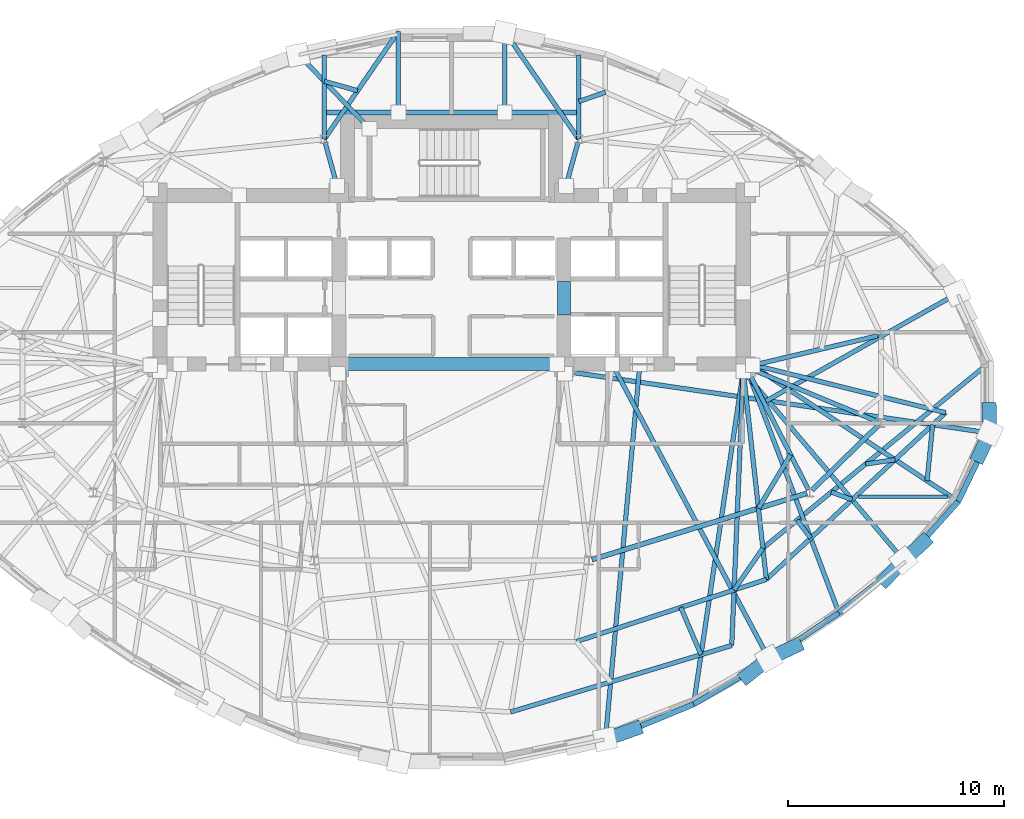
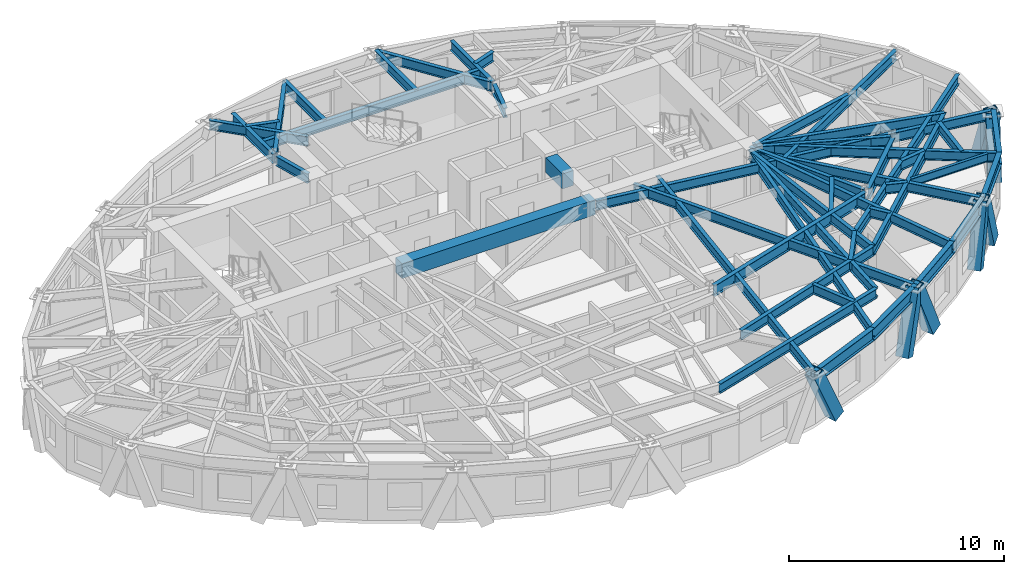
# One storey, part 3 of 14: 48 beams, 7 members.
"""IFC4 building model written with IfcOpenShell, lengths in metres."""

from ifc_helpers import new_model, si_unit, direction, frame, origin, origin_2d, place, context, subcontext, project, spatial, rectangle, hollow_rectangle, i_section, extrude, material, material_profile, profile_set, type_object, element, save


model = new_model("IFC4")

# Units and contexts
model_context = context("Model", 3, precision=1e-05, world=origin(), true_north=direction((0.0, 1.0)))
body_context = subcontext(model_context, "Body", "Model", "MODEL_VIEW")
ifc_project = project(units=[si_unit("LENGTHUNIT", "METRE"), si_unit("AREAUNIT", "SQUARE_METRE"), si_unit("VOLUMEUNIT", "CUBIC_METRE"), si_unit("PLANEANGLEUNIT", "RADIAN"), si_unit("MASSUNIT", "GRAM", prefix="KILO")], contexts=[model_context])

# Site, building, storey
site_placement = place(None, origin())
site = spatial("IfcSite", under=ifc_project, at=site_placement, CompositionType="ELEMENT")
building_placement = place(site_placement, origin())
building = spatial("IfcBuilding", under=site, at=building_placement, Name="Keldmark Tower", CompositionType="ELEMENT")
storey_placement = place(building_placement, frame((0.0, 0.0, 182.199951171875)))
storey = spatial("IfcBuildingStorey", under=building, at=storey_placement, Name="L50", CompositionType="ELEMENT", Elevation=182.199951171875)

# Beams
ifc_material_1 = material(Name="Steel ASTM A992 Grade 50", Category="steel")
ifc_material_profile_1 = material_profile(ifc_material_1, i_section(OverallWidth=0.153076171875, OverallDepth=0.455078125, WebThickness=0.008056640625, FlangeThickness=0.01318359375, at=origin_2d()), Name="W18X40")
ifc_profile_set_1 = profile_set([ifc_material_profile_1], Name="Steel ASTM A992 Grade 50")
beam_type_1 = type_object("IfcBeamType", Name="Composite Floor Joist W18X40", PredefinedType="JOIST", material=ifc_profile_set_1)
beam_1_placement = place(storey_placement, frame((18.790771484375, -4.60009765625, 2.79248046875), z_axis=(1.0, 0.0, 0.0), x_axis=(0.0, 1.0, 0.0)))
element("IfcBeam", 1, at=beam_1_placement, inside=storey, type_object=beam_type_1, Name="L50 Composite Floor Joist J04", PredefinedType="JOIST", context=body_context, shape_type="SweptSolid", body=[
    extrude(i_section(OverallWidth=0.153076171875, OverallDepth=0.455078125, WebThickness=0.008056640625, FlangeThickness=0.01318359375, at=origin_2d()), origin(), (0.0, 0.0, 1.0), 4.116455078125),
])
ifc_material_2 = material(Name="Concrete C50/60", Category="concrete")
ifc_material_profile_2 = material_profile(ifc_material_2, rectangle(XDim=0.60009765625, YDim=0.85009765625, at=origin_2d()), Name="RCB600X850")
ifc_profile_set_2 = profile_set([ifc_material_profile_2], Name="Concrete C50/60")
beam_type_2 = type_object("IfcBeamType", Name="Core Coupling Beam RCB600X850", PredefinedType="USERDEFINED", material=ifc_profile_set_2)
beam_2_placement = place(storey_placement, frame((5.199951171875, 3.800048828125, 2.594970703125), z_axis=(0.0, 1.0, 0.0), x_axis=(-1.0, 0.0, 0.0)))
element("IfcBeam", 2, at=beam_2_placement, inside=storey, type_object=beam_type_2, Name="L50 East Core Coupling Beam", ObjectType="COUPLING BEAM", PredefinedType="USERDEFINED", context=body_context, shape_type="SweptSolid", body=[
    extrude(rectangle(XDim=0.60009765625, YDim=0.85009765625, at=origin_2d()), origin(), (0.0, 0.0, 1.0), 1.550048828125),
])
beam_3_placement = place(storey_placement, frame((-5.199951171875, 1.52490234375, 2.594970703125), z_axis=(1.0, 0.0, 0.0), x_axis=(0.0, 1.0, 0.0)))
element("IfcBeam", 3, at=beam_3_placement, inside=storey, type_object=beam_type_2, Name="L50 Central South Core Coupling Beam", ObjectType="COUPLING BEAM", PredefinedType="USERDEFINED", context=body_context, shape_type="SweptSolid", body=[
    extrude(rectangle(XDim=0.60009765625, YDim=0.85009765625, at=origin_2d()), origin(), (0.0, 0.0, 1.0), 10.39990234375),
])

# Members
ifc_material_3 = material(Name="Steel ASTM A572 Grade 50", Category="steel")
ifc_material_profile_3 = material_profile(ifc_material_3, hollow_rectangle(XDim=0.64990234375, YDim=0.64990234375, WallThickness=0.0400390625, at=origin_2d()), Name="BOX650X650X40")
ifc_profile_set_3 = profile_set([ifc_material_profile_3], Name="Steel ASTM A572 Grade 50")
member_type = type_object("IfcMemberType", Name="Diagrid Zone 3 Brace BOX650X650X40", PredefinedType="BRACE", material=ifc_profile_set_3)
member_1_placement = place(storey_placement, frame((8.486083984375, -15.315673828125, -0.260009765625), z_axis=(-0.40141936816, -0.142450404372, 0.904748790085), x_axis=(0.334433352751, -0.942419403752, 0.0)))
element("IfcMember", 4, at=member_1_placement, inside=storey, type_object=member_type, Name="L50 Perimeter Diagrid Brace 13B", PredefinedType="BRACE", context=body_context, shape_type="SweptSolid", body=[
    extrude(hollow_rectangle(XDim=0.64990234375, YDim=0.64990234375, WallThickness=0.0400390625, at=origin_2d()), origin(), (0.0, 0.0, 1.0), 3.492919921875),
])
member_2_placement = place(storey_placement, frame((13.630615234375, -12.89111328125, -0.260009765625), z_axis=(0.299353336708, 0.238326368924, 0.923898328647), x_axis=(-0.62285067598, 0.782340741258, 0.0)))
element("IfcMember", 5, at=member_2_placement, inside=storey, type_object=member_type, Name="L50 Perimeter Diagrid Brace 14A", PredefinedType="BRACE", context=body_context, shape_type="SweptSolid", body=[
    extrude(hollow_rectangle(XDim=0.64990234375, YDim=0.64990234375, WallThickness=0.0400390625, at=origin_2d()), origin(), (0.0, 0.0, 1.0), 3.42041015625),
])
member_3_placement = place(storey_placement, frame((15.897705078125, -11.490234375, -0.260009765625), z_axis=(-0.363096007671, -0.171642812667, 0.915805674842), x_axis=(0.427374380987, -0.904074741643, 0.0)))
element("IfcMember", 6, at=member_3_placement, inside=storey, type_object=member_type, Name="L50 Perimeter Diagrid Brace 14B", PredefinedType="BRACE", context=body_context, shape_type="SweptSolid", body=[
    extrude(hollow_rectangle(XDim=0.64990234375, YDim=0.64990234375, WallThickness=0.0400390625, at=origin_2d()), origin(), (0.0, 0.0, 1.0), 3.45068359375),
])
member_4_placement = place(storey_placement, frame((20.04150390625, -8.411376953125, -0.260009765625), z_axis=(0.246893402367, 0.256639194565, 0.934440994221), x_axis=(-0.720657748805, 0.693290998851, 0.0)))
element("IfcMember", 7, at=member_4_placement, inside=storey, type_object=member_type, Name="L50 Perimeter Diagrid Brace 15A", PredefinedType="BRACE", context=body_context, shape_type="SweptSolid", body=[
    extrude(hollow_rectangle(XDim=0.64990234375, YDim=0.64990234375, WallThickness=0.0400390625, at=origin_2d()), origin(), (0.0, 0.0, 1.0), 3.3818359375),
])
member_5_placement = place(storey_placement, frame((21.826416015625, -6.673583984375, -0.260009765625), z_axis=(-0.279877379143, -0.257441459548, 0.924874341492), x_axis=(0.67699139937, -0.735990927375, 0.0)))
element("IfcMember", 8, at=member_5_placement, inside=storey, type_object=member_type, Name="L50 Perimeter Diagrid Brace 15B", PredefinedType="BRACE", context=body_context, shape_type="SweptSolid", body=[
    extrude(hollow_rectangle(XDim=0.64990234375, YDim=0.64990234375, WallThickness=0.0400390625, at=origin_2d()), origin(), (0.0, 0.0, 1.0), 3.416748046875),
])
member_6_placement = place(storey_placement, frame((24.36767578125, -2.7001953125, -0.260009765625), z_axis=(0.147798689102, 0.312776529413, 0.93825710237), x_axis=(-0.90413849574, 0.427239488485, 0.0)))
element("IfcMember", 9, at=member_6_placement, inside=storey, type_object=member_type, Name="L50 Perimeter Diagrid Brace 16A", PredefinedType="BRACE", context=body_context, shape_type="SweptSolid", body=[
    extrude(hollow_rectangle(XDim=0.64990234375, YDim=0.64990234375, WallThickness=0.0400390625, at=origin_2d()), origin(), (0.0, 0.0, 1.0), 3.3681640625),
])
member_7_placement = place(storey_placement, frame((24.8408203125, -0.54833984375, -0.260009765625), z_axis=(0.006632950239, -0.33135595369, 0.943482504303), x_axis=(0.999799708079, 0.020013588525, 0.0)))
element("IfcMember", 10, at=member_7_placement, inside=storey, type_object=member_type, Name="L50 Perimeter Diagrid Brace 16B", PredefinedType="BRACE", context=body_context, shape_type="SweptSolid", body=[
    extrude(hollow_rectangle(XDim=0.64990234375, YDim=0.64990234375, WallThickness=0.0400390625, at=origin_2d()), origin(), (0.0, 0.0, 1.0), 3.349365234375),
])

# Beams
ifc_material_4 = material(Name="Steel ASTM A992 Grade 50", Category="steel")
ifc_material_profile_4 = material_profile(ifc_material_4, i_section(OverallWidth=0.22900390625, OverallDepth=0.612060546875, WebThickness=0.011962890625, FlangeThickness=0.01953125, at=origin_2d()), Name="W24X84")
ifc_profile_set_4 = profile_set([ifc_material_profile_4], Name="Steel ASTM A992 Grade 50")
beam_type_3 = type_object("IfcBeamType", Name="Primary Floor Girder W24X84", PredefinedType="BEAM", material=ifc_profile_set_4)
beam_4_placement = place(storey_placement, frame((6.485107421875, -7.5048828125, 2.714111328125), z_axis=(0.955494563145, 0.295008711398, 0.0), x_axis=(-0.295008711398, 0.955494563145, 0.0)))
element("IfcBeam", 11, at=beam_4_placement, inside=storey, type_object=beam_type_3, Name="L50 Floor Ring Girder FG-R10", PredefinedType="BEAM", context=body_context, shape_type="SweptSolid", body=[
    extrude(i_section(OverallWidth=0.22900390625, OverallDepth=0.612060546875, WebThickness=0.011962890625, FlangeThickness=0.01953125, at=origin_2d()), origin(), (0.0, 0.0, 1.0), 10.39013671875),
])
beam_5_placement = place(storey_placement, frame((16.646728515625, -4.300537109375, 2.714111328125), z_axis=(0.714964509815, 0.699160746684, 0.0), x_axis=(-0.699160746684, 0.714964509815, 0.0)))
element("IfcBeam", 12, at=beam_5_placement, inside=storey, type_object=beam_type_3, Name="L50 Floor Ring Girder FG-R11", PredefinedType="BEAM", context=body_context, shape_type="SweptSolid", body=[
    extrude(i_section(OverallWidth=0.22900390625, OverallDepth=0.612060546875, WebThickness=0.011962890625, FlangeThickness=0.01953125, at=origin_2d()), origin(), (0.0, 0.0, 1.0), 4.31005859375),
])
ifc_material_5 = material(Name="Steel ASTM A992 Grade 50", Category="steel")
ifc_material_profile_5 = material_profile(ifc_material_5, i_section(OverallWidth=0.2099609375, OverallDepth=0.537109375, WebThickness=0.010986328125, FlangeThickness=0.017333984375, at=origin_2d()), Name="W21X68")
ifc_profile_set_5 = profile_set([ifc_material_profile_5], Name="Steel ASTM A992 Grade 50")
beam_type_4 = type_object("IfcBeamType", Name="Radial Tie Girder W21X68", PredefinedType="BEAM", material=ifc_profile_set_5)
beam_6_placement = place(storey_placement, frame((19.692138671875, 2.837158203125, 2.75146484375), z_axis=(-0.973280062348, -0.229621253887, 0.0), x_axis=(0.229621253887, -0.973280062348, 0.0)))
element("IfcBeam", 13, at=beam_6_placement, inside=storey, type_object=beam_type_4, Name="L50 Floor Radial Girder FG-C01", PredefinedType="BEAM", context=body_context, shape_type="SweptSolid", body=[
    extrude(i_section(OverallWidth=0.2099609375, OverallDepth=0.537109375, WebThickness=0.010986328125, FlangeThickness=0.017333984375, at=origin_2d()), origin(), (0.0, 0.0, 1.0), 5.939208984375),
])
for number, where, z_axis, x_axis, name in (
    (14, (5.843017578125, 11.7802734375, 2.75146484375), (-0.265992411, -0.963975122755, 0.0), (0.963975122755, -0.265992411, 0.0), "L50 Floor Radial Girder FG-C03"),
    (15, (-5.843017578125, 11.7802734375, 2.75146484375), (0.265992411, -0.963975122755, 0.0), (0.963975122755, 0.265992411, 0.0), "L50 Floor Radial Girder FG-C04"),
):
    element("IfcBeam", number, at=place(storey_placement, frame(where, z_axis=z_axis, x_axis=x_axis)), inside=storey, type_object=beam_type_4, Name=name, PredefinedType="BEAM", context=body_context, shape_type="SweptSolid", body=[
        extrude(i_section(OverallWidth=0.2099609375, OverallDepth=0.537109375, WebThickness=0.010986328125, FlangeThickness=0.017333984375, at=origin_2d()), origin(), (0.0, 0.0, 1.0), 2.09716796875),
    ])
beam_7_placement = place(storey_placement, frame((16.4833984375, -4.273681640625, 2.75146484375), z_axis=(-0.453036691775, 0.891491870914, 0.0), x_axis=(-0.891491870914, -0.453036691775, 0.0)))
element("IfcBeam", 16, at=beam_7_placement, inside=storey, type_object=beam_type_4, Name="L50 Floor Radial Girder FG-C11", PredefinedType="BEAM", context=body_context, shape_type="SweptSolid", body=[
    extrude(i_section(OverallWidth=0.2099609375, OverallDepth=0.537109375, WebThickness=0.010986328125, FlangeThickness=0.017333984375, at=origin_2d()), origin(), (0.0, 0.0, 1.0), 6.044189453125),
])
beam_8_placement = place(storey_placement, frame((19.69921875, -1.135498046875, 2.75146484375), z_axis=(-0.923393794893, 0.383854008124, 0.0), x_axis=(-0.383854008124, -0.923393794893, 0.0)))
element("IfcBeam", 17, at=beam_8_placement, inside=storey, type_object=beam_type_4, Name="L50 Floor Radial Girder FG-C12", PredefinedType="BEAM", context=body_context, shape_type="SweptSolid", body=[
    extrude(i_section(OverallWidth=0.2099609375, OverallDepth=0.537109375, WebThickness=0.010986328125, FlangeThickness=0.017333984375, at=origin_2d()), origin(), (0.0, 0.0, 1.0), 6.28515625),
])
beam_9_placement = place(storey_placement, frame((15.661865234375, -2.6572265625, 2.75146484375), z_axis=(-0.514570454488, -0.857448101851, 0.0), x_axis=(0.857448101851, -0.514570454488, 0.0)))
element("IfcBeam", 18, at=beam_9_placement, inside=storey, type_object=beam_type_4, Name="L50 Framing Pin Header PH-005", PredefinedType="BEAM", context=body_context, shape_type="SweptSolid", body=[
    extrude(i_section(OverallWidth=0.2099609375, OverallDepth=0.537109375, WebThickness=0.010986328125, FlangeThickness=0.017333984375, at=origin_2d()), origin(), (0.0, 0.0, 1.0), 2.8837890625),
])
beam_10_placement = place(storey_placement, frame((13.47509765625, 1.199951171875, 2.75146484375), z_axis=(0.11037061052, -0.993890501179, 0.0), x_axis=(0.993890501179, 0.11037061052, 0.0)))
element("IfcBeam", 19, at=beam_10_placement, inside=storey, type_object=beam_type_4, Name="L50 Sub-Ring Step Girder STP1-M11", PredefinedType="BEAM", context=body_context, shape_type="SweptSolid", body=[
    extrude(i_section(OverallWidth=0.2099609375, OverallDepth=0.537109375, WebThickness=0.010986328125, FlangeThickness=0.017333984375, at=origin_2d()), origin(), (0.0, 0.0, 1.0), 9.677490234375),
])
beam_11_placement = place(storey_placement, frame((13.800048828125, 1.52490234375, 2.75146484375), z_axis=(0.970532067768, -0.240972001349, 0.0), x_axis=(0.240972001349, 0.970532067768, 0.0)))
element("IfcBeam", 20, at=beam_11_placement, inside=storey, type_object=beam_type_4, Name="L50 Sub-Ring Step Girder STP1-M12", PredefinedType="BEAM", context=body_context, shape_type="SweptSolid", body=[
    extrude(i_section(OverallWidth=0.2099609375, OverallDepth=0.537109375, WebThickness=0.010986328125, FlangeThickness=0.017333984375, at=origin_2d()), origin(), (0.0, 0.0, 1.0), 9.296630859375),
])
beam_12_placement = place(storey_placement, frame((5.759521484375, -11.291748046875, 2.75146484375), z_axis=(0.950440993261, 0.31090499888, 0.0), x_axis=(-0.31090499888, 0.950440993261, 0.0)))
element("IfcBeam", 21, at=beam_12_placement, inside=storey, type_object=beam_type_4, Name="L50 Perimeter Collector Ring Beam CRG1-M10", PredefinedType="BEAM", context=body_context, shape_type="SweptSolid", body=[
    extrude(i_section(OverallWidth=0.2099609375, OverallDepth=0.537109375, WebThickness=0.010986328125, FlangeThickness=0.017333984375, at=origin_2d()), origin(), (0.0, 0.0, 1.0), 9.24169921875),
])
beam_13_placement = place(storey_placement, frame((14.543212890625, -8.41845703125, 2.75146484375), z_axis=(0.732132654929, 0.681162077325, 0.0), x_axis=(-0.681162077325, 0.732132654929, 0.0)))
element("IfcBeam", 22, at=beam_13_placement, inside=storey, type_object=beam_type_4, Name="L50 Perimeter Collector Ring Beam CRG1-M11", PredefinedType="BEAM", context=body_context, shape_type="SweptSolid", body=[
    extrude(i_section(OverallWidth=0.2099609375, OverallDepth=0.537109375, WebThickness=0.010986328125, FlangeThickness=0.017333984375, at=origin_2d()), origin(), (0.0, 0.0, 1.0), 11.308837890625),
])
beam_14_placement = place(storey_placement, frame((14.383056640625, -6.9755859375, 2.75146484375), z_axis=(-0.567769438598, -0.823187624175, 0.0), x_axis=(0.823187624175, -0.567769438598, 0.0)))
element("IfcBeam", 23, at=beam_14_placement, inside=storey, type_object=beam_type_4, Name="L50 Framing Pin Header PH-011", PredefinedType="BEAM", context=body_context, shape_type="SweptSolid", body=[
    extrude(i_section(OverallWidth=0.2099609375, OverallDepth=0.537109375, WebThickness=0.010986328125, FlangeThickness=0.017333984375, at=origin_2d()), origin(), (0.0, 0.0, 1.0), 2.345703125),
])
beam_15_placement = place(storey_placement, frame((13.47509765625, 1.199951171875, 2.75146484375), z_axis=(-0.041897232848, -0.999121925432, 0.0), x_axis=(0.999121925432, -0.041897232848, 0.0)))
element("IfcBeam", 24, at=beam_15_placement, inside=storey, type_object=beam_type_4, Name="L50 Sub-Ring Step Girder STP2-M11", PredefinedType="BEAM", context=body_context, shape_type="SweptSolid", body=[
    extrude(i_section(OverallWidth=0.2099609375, OverallDepth=0.537109375, WebThickness=0.010986328125, FlangeThickness=0.017333984375, at=origin_2d()), origin(), (0.0, 0.0, 1.0), 12.679931640625),
])
beam_16_placement = place(storey_placement, frame((2.731689453125, -14.541748046875, 2.75146484375), z_axis=(0.957584627503, 0.288152184044, 0.0), x_axis=(-0.288152184044, 0.957584627503, 0.0)))
element("IfcBeam", 25, at=beam_16_placement, inside=storey, type_object=beam_type_4, Name="L50 Perimeter Collector Ring Beam CRG2-M10", PredefinedType="BEAM", context=body_context, shape_type="SweptSolid", body=[
    extrude(i_section(OverallWidth=0.2099609375, OverallDepth=0.537109375, WebThickness=0.010986328125, FlangeThickness=0.017333984375, at=origin_2d()), origin(), (0.0, 0.0, 1.0), 10.66455078125),
])
beam_17_placement = place(storey_placement, frame((14.383056640625, -6.9755859375, 2.75146484375), z_axis=(0.773375114819, 0.633948682291, 0.0), x_axis=(-0.633948682291, 0.773375114819, 0.0)))
element("IfcBeam", 26, at=beam_17_placement, inside=storey, type_object=beam_type_4, Name="L50 Perimeter Radial Tie Girder RT-01", PredefinedType="BEAM", context=body_context, shape_type="SweptSolid", body=[
    extrude(i_section(OverallWidth=0.2099609375, OverallDepth=0.537109375, WebThickness=0.010986328125, FlangeThickness=0.017333984375, at=origin_2d()), origin(), (0.0, 0.0, 1.0), 13.62841796875),
])
beam_18_placement = place(storey_placement, frame((14.4296875, -0.232421875, 2.75146484375), z_axis=(0.871789377563, 0.489880884674, 0.0), x_axis=(-0.489880884674, 0.871789377563, 0.0)))
element("IfcBeam", 27, at=beam_18_placement, inside=storey, type_object=beam_type_4, Name="L50 Perimeter Radial Tie Girder RT-02", PredefinedType="BEAM", context=body_context, shape_type="SweptSolid", body=[
    extrude(i_section(OverallWidth=0.2099609375, OverallDepth=0.537109375, WebThickness=0.010986328125, FlangeThickness=0.017333984375, at=origin_2d()), origin(), (0.0, 0.0, 1.0), 10.3017578125),
])
beam_19_placement = place(storey_placement, frame((8.699951171875, 1.52490234375, 2.75146484375), z_axis=(-0.09149969152, -0.995805104652, 0.0), x_axis=(0.995805104652, -0.09149969152, 0.0)))
element("IfcBeam", 28, at=beam_19_placement, inside=storey, type_object=beam_type_4, Name="L50 Perimeter Radial Tie Girder RT-26", PredefinedType="BEAM", context=body_context, shape_type="SweptSolid", body=[
    extrude(i_section(OverallWidth=0.2099609375, OverallDepth=0.537109375, WebThickness=0.010986328125, FlangeThickness=0.017333984375, at=origin_2d()), origin(), (0.0, 0.0, 1.0), 17.46875),
])
beam_20_placement = place(storey_placement, frame((10.590576171875, -9.71142578125, 2.75146484375), z_axis=(0.393063371219, -0.919511384489, 0.0), x_axis=(0.919511384489, 0.393063371219, 0.0)))
element("IfcBeam", 29, at=beam_20_placement, inside=storey, type_object=beam_type_4, Name="L50 Framing Pin Header PH-033", PredefinedType="BEAM", context=body_context, shape_type="SweptSolid", body=[
    extrude(i_section(OverallWidth=0.2099609375, OverallDepth=0.537109375, WebThickness=0.010986328125, FlangeThickness=0.017333984375, at=origin_2d()), origin(), (0.0, 0.0, 1.0), 2.375732421875),
])
beam_21_placement = place(storey_placement, frame((13.47509765625, 1.199951171875, 2.75146484375), z_axis=(-0.147325678624, -0.989088036738, 0.0), x_axis=(0.989088036738, -0.147325678624, 0.0)))
element("IfcBeam", 30, at=beam_21_placement, inside=storey, type_object=beam_type_4, Name="L50 Perimeter Radial Tie Girder RT-27", PredefinedType="BEAM", context=body_context, shape_type="SweptSolid", body=[
    extrude(i_section(OverallWidth=0.2099609375, OverallDepth=0.537109375, WebThickness=0.010986328125, FlangeThickness=0.017333984375, at=origin_2d()), origin(), (0.0, 0.0, 1.0), 15.553955078125),
])
beam_22_placement = place(storey_placement, frame((7.425048828125, 1.52490234375, 2.75146484375), z_axis=(0.469368390676, -0.883002442712, 0.0), x_axis=(0.883002442712, 0.469368390676, 0.0)))
element("IfcBeam", 31, at=beam_22_placement, inside=storey, type_object=beam_type_4, Name="L50 Perimeter Radial Tie Girder RT-28", PredefinedType="BEAM", context=body_context, shape_type="SweptSolid", body=[
    extrude(i_section(OverallWidth=0.2099609375, OverallDepth=0.537109375, WebThickness=0.010986328125, FlangeThickness=0.017333984375, at=origin_2d()), origin(), (0.0, 0.0, 1.0), 15.462890625),
])
beam_23_placement = place(storey_placement, frame((15.964111328125, -5.6796875, 2.75146484375), z_axis=(0.600861034592, -0.799353499467, 0.0), x_axis=(0.799353499467, 0.600861034592, 0.0)))
element("IfcBeam", 32, at=beam_23_placement, inside=storey, type_object=beam_type_4, Name="L50 Framing Pin Header PH-034", PredefinedType="BEAM", context=body_context, shape_type="SweptSolid", body=[
    extrude(i_section(OverallWidth=0.2099609375, OverallDepth=0.537109375, WebThickness=0.010986328125, FlangeThickness=0.017333984375, at=origin_2d()), origin(), (0.0, 0.0, 1.0), 1.04296875),
])
beam_24_placement = place(storey_placement, frame((13.60009765625, 1.39990234375, 2.75146484375), z_axis=(0.353524952971, -0.93542509461, 0.0), x_axis=(0.93542509461, 0.353524952971, 0.0)))
element("IfcBeam", 33, at=beam_24_placement, inside=storey, type_object=beam_type_4, Name="L50 Perimeter Radial Tie Girder RT-29", PredefinedType="BEAM", context=body_context, shape_type="SweptSolid", body=[
    extrude(i_section(OverallWidth=0.2099609375, OverallDepth=0.537109375, WebThickness=0.010986328125, FlangeThickness=0.017333984375, at=origin_2d()), origin(), (0.0, 0.0, 1.0), 12.1376953125),
])
beam_25_placement = place(storey_placement, frame((17.544921875, -4.3837890625, 2.75146484375), z_axis=(0.940273760406, -0.340419234903, 0.0), x_axis=(0.340419234903, 0.940273760406, 0.0)))
element("IfcBeam", 34, at=beam_25_placement, inside=storey, type_object=beam_type_4, Name="L50 Framing Pin Header PH-035", PredefinedType="BEAM", context=body_context, shape_type="SweptSolid", body=[
    extrude(i_section(OverallWidth=0.2099609375, OverallDepth=0.537109375, WebThickness=0.010986328125, FlangeThickness=0.017333984375, at=origin_2d()), origin(), (0.0, 0.0, 1.0), 1.02197265625),
])
beam_26_placement = place(storey_placement, frame((13.47509765625, 1.199951171875, 2.75146484375), z_axis=(0.646815304492, -0.762646682203, 0.0), x_axis=(0.762646682203, 0.646815304492, 0.0)))
element("IfcBeam", 35, at=beam_26_placement, inside=storey, type_object=beam_type_4, Name="L50 Perimeter Radial Tie Girder RT-30", PredefinedType="BEAM", context=body_context, shape_type="SweptSolid", body=[
    extrude(i_section(OverallWidth=0.2099609375, OverallDepth=0.537109375, WebThickness=0.010986328125, FlangeThickness=0.017333984375, at=origin_2d()), origin(), (0.0, 0.0, 1.0), 11.514404296875),
])
beam_27_placement = place(storey_placement, frame((19.1259765625, -3.087646484375, 2.75146484375), z_axis=(0.989330602551, 0.145687881637, 0.0), x_axis=(-0.145687881637, 0.989330602551, 0.0)))
element("IfcBeam", 36, at=beam_27_placement, inside=storey, type_object=beam_type_4, Name="L50 Framing Pin Header PH-036", PredefinedType="BEAM", context=body_context, shape_type="SweptSolid", body=[
    extrude(i_section(OverallWidth=0.2099609375, OverallDepth=0.537109375, WebThickness=0.010986328125, FlangeThickness=0.017333984375, at=origin_2d()), origin(), (0.0, 0.0, 1.0), 1.37744140625),
])
beam_28_placement = place(storey_placement, frame((13.800048828125, 1.52490234375, 2.75146484375), z_axis=(0.834764384069, -0.550607322046, 0.0), x_axis=(0.550607322046, 0.834764384069, 0.0)))
element("IfcBeam", 37, at=beam_28_placement, inside=storey, type_object=beam_type_4, Name="L50 Perimeter Radial Tie Girder RT-31", PredefinedType="BEAM", context=body_context, shape_type="SweptSolid", body=[
    extrude(i_section(OverallWidth=0.2099609375, OverallDepth=0.537109375, WebThickness=0.010986328125, FlangeThickness=0.017333984375, at=origin_2d()), origin(), (0.0, 0.0, 1.0), 11.512939453125),
])
beam_29_placement = place(storey_placement, frame((21.968994140625, -3.86328125, 2.75146484375), z_axis=(0.09808314537, 0.995178223533, 0.0), x_axis=(-0.995178223533, 0.09808314537, 0.0)))
element("IfcBeam", 38, at=beam_29_placement, inside=storey, type_object=beam_type_4, Name="L50 Framing Pin Header PH-037", PredefinedType="BEAM", context=body_context, shape_type="SweptSolid", body=[
    extrude(i_section(OverallWidth=0.2099609375, OverallDepth=0.537109375, WebThickness=0.010986328125, FlangeThickness=0.017333984375, at=origin_2d()), origin(), (0.0, 0.0, 1.0), 2.603515625),
])
beam_30_placement = place(storey_placement, frame((5.199951171875, 1.199951171875, 2.75146484375), z_axis=(0.989620516542, -0.143705369556, 0.0), x_axis=(0.143705369556, 0.989620516542, 0.0)))
element("IfcBeam", 39, at=beam_30_placement, inside=storey, type_object=beam_type_4, Name="L50 Perimeter Radial Tie Girder RT-32", PredefinedType="BEAM", context=body_context, shape_type="SweptSolid", body=[
    extrude(i_section(OverallWidth=0.2099609375, OverallDepth=0.537109375, WebThickness=0.010986328125, FlangeThickness=0.017333984375, at=origin_2d()), origin(), (0.0, 0.0, 1.0), 19.9296875),
])
for number, where, z_axis, x_axis, name in (
    (40, (-5.880126953125, 11.915283203125, 2.75146484375), (0.0, 1.0, 0.0), (-1.0, 0.0, 0.0), "L50 North Column Cantilever Girder West FG-TCN-W"),
    (41, (5.880126953125, 11.915283203125, 2.75146484375), (0.0, 1.0, 0.0), (-1.0, 0.0, 0.0), "L50 North Column Cantilever Girder East FG-TCN-E"),
):
    element("IfcBeam", number, at=place(storey_placement, frame(where, z_axis=z_axis, x_axis=x_axis)), inside=storey, type_object=beam_type_4, Name=name, PredefinedType="BEAM", context=body_context, shape_type="SweptSolid", body=[
        extrude(i_section(OverallWidth=0.2099609375, OverallDepth=0.537109375, WebThickness=0.010986328125, FlangeThickness=0.017333984375, at=origin_2d()), origin(), (0.0, 0.0, 1.0), 3.880126953125),
    ])
beam_31_placement = place(storey_placement, frame((-5.880126953125, 13.14990234375, 2.75146484375), z_axis=(1.0, 0.0, 0.0), x_axis=(0.0, 1.0, 0.0)))
element("IfcBeam", 42, at=beam_31_placement, inside=storey, type_object=beam_type_4, Name="L50 North Inner Header Girder FG-TCN-H0", PredefinedType="BEAM", context=body_context, shape_type="SweptSolid", body=[
    extrude(i_section(OverallWidth=0.2099609375, OverallDepth=0.537109375, WebThickness=0.010986328125, FlangeThickness=0.017333984375, at=origin_2d()), origin(), (0.0, 0.0, 1.0), 11.76025390625),
])
for number, where, z_axis, x_axis, name in (
    (43, (2.45458984375, 13.14990234375, 2.75146484375), (0.0, 1.0, 0.0), (-1.0, 0.0, 0.0), "L50 North Continuous Radial Girder RT-08N"),
    (44, (-2.45458984375, 13.14990234375, 2.75146484375), (0.0, 1.0, 0.0), (-1.0, 0.0, 0.0), "L50 North Continuous Radial Girder RT-09N"),
):
    element("IfcBeam", number, at=place(storey_placement, frame(where, z_axis=z_axis, x_axis=x_axis)), inside=storey, type_object=beam_type_4, Name=name, PredefinedType="BEAM", context=body_context, shape_type="SweptSolid", body=[
        extrude(i_section(OverallWidth=0.2099609375, OverallDepth=0.537109375, WebThickness=0.010986328125, FlangeThickness=0.017333984375, at=origin_2d()), origin(), (0.0, 0.0, 1.0), 3.74609375),
    ])
beam_32_placement = place(storey_placement, frame((5.880126953125, 11.915283203125, 2.75146484375), z_axis=(-0.566674508349, 0.823941746477, 0.0), x_axis=(-0.823941746477, -0.566674508349, 0.0)))
element("IfcBeam", 45, at=beam_32_placement, inside=storey, type_object=beam_type_4, Name="L50 Straddling Support Chord RT-07RB", PredefinedType="BEAM", context=body_context, shape_type="SweptSolid", body=[
    extrude(i_section(OverallWidth=0.2099609375, OverallDepth=0.537109375, WebThickness=0.010986328125, FlangeThickness=0.017333984375, at=origin_2d()), origin(), (0.0, 0.0, 1.0), 6.044921875),
])
beam_33_placement = place(storey_placement, frame((5.880126953125, 13.661376953125, 2.75146484375), z_axis=(0.944890283725, 0.327387158761, 0.0), x_axis=(-0.327387158761, 0.944890283725, 0.0)))
element("IfcBeam", 46, at=beam_33_placement, inside=storey, type_object=beam_type_4, Name="L50 Framing Pin Header PH-039", PredefinedType="BEAM", context=body_context, shape_type="SweptSolid", body=[
    extrude(i_section(OverallWidth=0.2099609375, OverallDepth=0.537109375, WebThickness=0.010986328125, FlangeThickness=0.017333984375, at=origin_2d()), origin(), (0.0, 0.0, 1.0), 1.303466796875),
])
beam_34_placement = place(storey_placement, frame((-2.45458984375, 16.89599609375, 2.75146484375), z_axis=(-0.566674508349, -0.823941746477, 0.0), x_axis=(0.823941746477, -0.566674508349, 0.0)))
element("IfcBeam", 47, at=beam_34_placement, inside=storey, type_object=beam_type_4, Name="L50 Straddling Support Chord RT-10RB", PredefinedType="BEAM", context=body_context, shape_type="SweptSolid", body=[
    extrude(i_section(OverallWidth=0.2099609375, OverallDepth=0.537109375, WebThickness=0.010986328125, FlangeThickness=0.017333984375, at=origin_2d()), origin(), (0.0, 0.0, 1.0), 6.044921875),
])
beam_35_placement = place(storey_placement, frame((-4.338623046875, 14.156494140625, 2.75146484375), z_axis=(-0.962245215485, 0.272184028327, 0.0), x_axis=(-0.272184028327, -0.962245215485, 0.0)))
element("IfcBeam", 48, at=beam_35_placement, inside=storey, type_object=beam_type_4, Name="L50 Framing Pin Header PH-040", PredefinedType="BEAM", context=body_context, shape_type="SweptSolid", body=[
    extrude(i_section(OverallWidth=0.2099609375, OverallDepth=0.537109375, WebThickness=0.010986328125, FlangeThickness=0.017333984375, at=origin_2d()), origin(), (0.0, 0.0, 1.0), 1.60205078125),
])
beam_36_placement = place(storey_placement, frame((-3.784912109375, 12.39990234375, 2.75146484375), z_axis=(-0.690879628574, 0.722969804917, 0.0), x_axis=(-0.722969804917, -0.690879628574, 0.0)))
element("IfcBeam", 49, at=beam_36_placement, inside=storey, type_object=beam_type_4, Name="L50 Perimeter Radial Tie Girder RT-10R", PredefinedType="BEAM", context=body_context, shape_type="SweptSolid", body=[
    extrude(i_section(OverallWidth=0.2099609375, OverallDepth=0.537109375, WebThickness=0.010986328125, FlangeThickness=0.017333984375, at=origin_2d()), origin(), (0.0, 0.0, 1.0), 4.800537109375),
])
ifc_material_6 = material(Name="Steel ASTM A992 Grade 50", Category="steel")
ifc_material_profile_6 = material_profile(ifc_material_6, i_section(OverallWidth=0.256103515625, OverallDepth=0.693115234375, WebThickness=0.014404296875, FlangeThickness=0.023681640625, at=origin_2d()), Name="W27X114")
ifc_profile_set_6 = profile_set([ifc_material_profile_6], Name="Steel ASTM A992 Grade 50")
beam_type_5 = type_object("IfcBeamType", Name="Spandrel Ring Beam W27X114", PredefinedType="SPANDREL", material=ifc_profile_set_6)
beam_37_placement = place(storey_placement, frame((7.1015625, -15.87060546875, 2.673583984375), z_axis=(0.924243616995, 0.381803269294, 0.0), x_axis=(-0.381803269294, 0.924243616995, 0.0)))
element("IfcBeam", 50, at=beam_37_placement, inside=storey, type_object=beam_type_5, Name="L50 Perimeter Spandrel Ring Beam SRB-26", PredefinedType="SPANDREL", context=body_context, shape_type="SweptSolid", body=[
    extrude(i_section(OverallWidth=0.256103515625, OverallDepth=0.693115234375, WebThickness=0.014404296875, FlangeThickness=0.023681640625, at=origin_2d()), origin(), (0.0, 0.0, 1.0), 4.41650390625),
])
beam_38_placement = place(storey_placement, frame((11.18359375, -14.184326171875, 2.673583984375), z_axis=(0.862254167878, 0.506475813812, 0.0), x_axis=(-0.506475813812, 0.862254167878, 0.0)))
element("IfcBeam", 51, at=beam_38_placement, inside=storey, type_object=beam_type_5, Name="L50 Perimeter Spandrel Ring Beam SRB-27", PredefinedType="SPANDREL", context=body_context, shape_type="SweptSolid", body=[
    extrude(i_section(OverallWidth=0.256103515625, OverallDepth=0.693115234375, WebThickness=0.014404296875, FlangeThickness=0.023681640625, at=origin_2d()), origin(), (0.0, 0.0, 1.0), 4.058349609375),
])
beam_39_placement = place(storey_placement, frame((14.682861328125, -12.12890625, 2.673583984375), z_axis=(0.82774221662, 0.561108565988, 0.0), x_axis=(-0.561108565988, 0.82774221662, 0.0)))
element("IfcBeam", 52, at=beam_39_placement, inside=storey, type_object=beam_type_5, Name="L50 Perimeter Spandrel Ring Beam SRB-28", PredefinedType="SPANDREL", context=body_context, shape_type="SweptSolid", body=[
    extrude(i_section(OverallWidth=0.256103515625, OverallDepth=0.693115234375, WebThickness=0.014404296875, FlangeThickness=0.023681640625, at=origin_2d()), origin(), (0.0, 0.0, 1.0), 3.8759765625),
])
beam_40_placement = place(storey_placement, frame((17.89111328125, -9.9541015625, 2.673583984375), z_axis=(0.787518383176, 0.616291161838, 0.0), x_axis=(-0.616291161838, 0.787518383176, 0.0)))
element("IfcBeam", 53, at=beam_40_placement, inside=storey, type_object=beam_type_5, Name="L50 Perimeter Spandrel Ring Beam SRB-29", PredefinedType="SPANDREL", context=body_context, shape_type="SweptSolid", body=[
    extrude(i_section(OverallWidth=0.256103515625, OverallDepth=0.693115234375, WebThickness=0.014404296875, FlangeThickness=0.023681640625, at=origin_2d()), origin(), (0.0, 0.0, 1.0), 3.849853515625),
])
beam_41_placement = place(storey_placement, frame((20.9228515625, -7.58154296875, 2.673583984375), z_axis=(0.668547778607, 0.743669192396, 0.0), x_axis=(-0.743669192396, 0.668547778607, 0.0)))
element("IfcBeam", 54, at=beam_41_placement, inside=storey, type_object=beam_type_5, Name="L50 Perimeter Spandrel Ring Beam SRB-30", PredefinedType="SPANDREL", context=body_context, shape_type="SweptSolid", body=[
    extrude(i_section(OverallWidth=0.256103515625, OverallDepth=0.693115234375, WebThickness=0.014404296875, FlangeThickness=0.023681640625, at=origin_2d()), origin(), (0.0, 0.0, 1.0), 3.72119140625),
])
beam_42_placement = place(storey_placement, frame((23.41064453125, -4.814208984375, 2.673583984375), z_axis=(0.43276286683, 0.90150779314, 0.0), x_axis=(-0.90150779314, 0.43276286683, 0.0)))
element("IfcBeam", 55, at=beam_42_placement, inside=storey, type_object=beam_type_5, Name="L50 Perimeter Spandrel Ring Beam SRB-31", PredefinedType="SPANDREL", context=body_context, shape_type="SweptSolid", body=[
    extrude(i_section(OverallWidth=0.256103515625, OverallDepth=0.693115234375, WebThickness=0.014404296875, FlangeThickness=0.023681640625, at=origin_2d()), origin(), (0.0, 0.0, 1.0), 3.494384765625),
])

save(model, "model.ifc")
